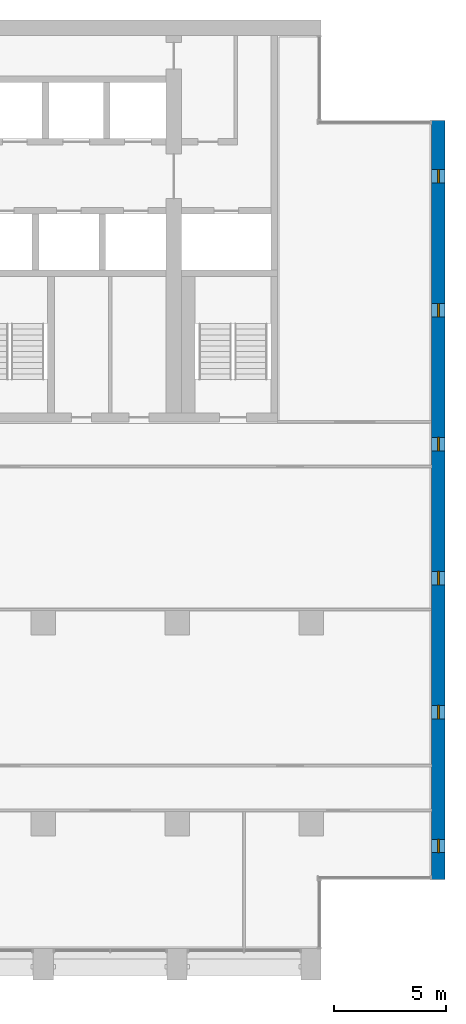
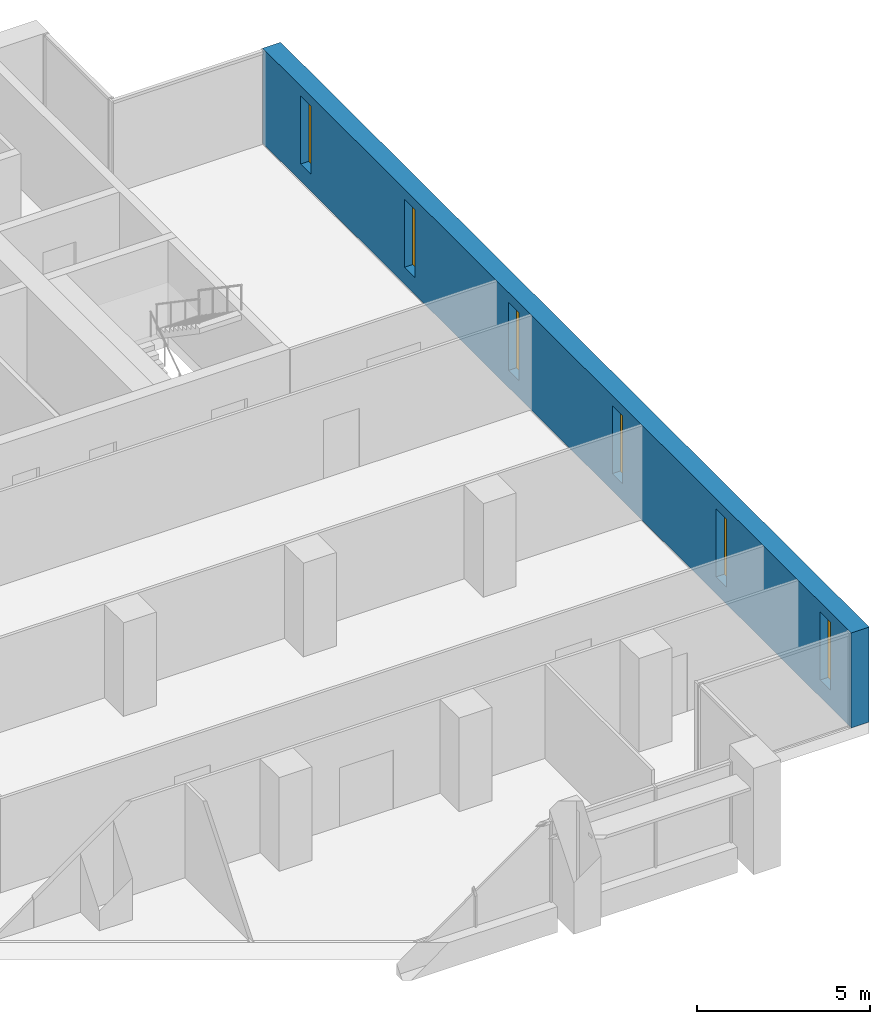
# One storey, part 12 of 17: 6 windows, 1 wall, 6 openings.
"""IFC4 building model written with IfcOpenShell, lengths in metres."""

import ifcopenshell
import ifcopenshell.guid

model = None  # the IFC model being written
_history = None  # IfcOwnerHistory: only IFC2X3 demands one
_inside = {}  # id of a spatial element -> (the spatial element, [elements in it])
_under = {}  # id of a project, library or spatial element -> (it, [spatial elements below it])
_declared = {}  # id of a project -> (the project, [libraries it declares])
_typed = {}  # id of a type object -> (the type object, [elements of that type])
_made_of = {}  # id of a material, layer set ... -> (it, [elements and type objects made of it])


def new_model(schema):
    """Start an empty IFC model of exactly this schema.

    Asked for "IFC4X3", IfcOpenShell would pick the latest addendum, in which some entities
    have other attributes; the version numbers below select the first issue.
    IFC2X3 requires an IfcOwnerHistory on every rooted entity: one is made here for all.
    """
    global model, _history
    if schema == "IFC4X3":
        model = ifcopenshell.file(schema_version=(4, 3, 0, 0))
    else:
        model = ifcopenshell.file(schema=schema)
    _inside.clear()
    _under.clear()
    _declared.clear()
    _typed.clear()
    _made_of.clear()
    _history = None
    if model.schema == "IFC2X3":
        org = make("IfcOrganization", Name="unknown")
        user = make(
            "IfcPersonAndOrganization",
            ThePerson=make("IfcPerson", FamilyName="unknown"),
            TheOrganization=org,
        )
        app = make(
            "IfcApplication",
            ApplicationDeveloper=org,
            Version="unknown",
            ApplicationFullName="unknown",
            ApplicationIdentifier="unknown",
        )
        _history = make(
            "IfcOwnerHistory",
            OwningUser=user,
            OwningApplication=app,
            ChangeAction="ADDED",
            CreationDate=0,
        )
    return model


def make(cls, **values):
    """One entity of the class cls with the attributes given. An attribute that is None is left unset."""
    return model.create_entity(
        cls, **{name: value for name, value in values.items() if value is not None}
    )


def rooted(cls, **values):
    """An entity with a GlobalId (a new one), such as an element, a storey or a relation."""
    return make(cls, GlobalId=ifcopenshell.guid.new(), OwnerHistory=_history, **values)


def si_unit(unit_type, name, prefix=None):
    """IfcSIUnit, for example si_unit("LENGTHUNIT", "METRE", prefix="MILLI")."""
    return make("IfcSIUnit", UnitType=unit_type, Prefix=prefix, Name=name)


def assignment(units):
    """IfcUnitAssignment: the units of a project."""
    return None if units is None else make("IfcUnitAssignment", Units=units)


def point(xyz):
    """IfcCartesianPoint."""
    return None if xyz is None else make("IfcCartesianPoint", Coordinates=xyz)


def direction(xyz):
    """IfcDirection."""
    return None if xyz is None else make("IfcDirection", DirectionRatios=xyz)


def frame(location, z_axis=None, x_axis=None):
    """IfcAxis2Placement3D, a coordinate frame: its origin and axes. An axis left out is left unset."""
    return make(
        "IfcAxis2Placement3D",
        Location=point(location),
        Axis=direction(z_axis),
        RefDirection=direction(x_axis),
    )


def frame_2d(location, x_axis=None):
    """IfcAxis2Placement2D, a coordinate frame in the plane: its origin and x axis."""
    return make(
        "IfcAxis2Placement2D", Location=point(location), RefDirection=direction(x_axis)
    )


def origin():
    """The frame at (0, 0, 0) with its axes left unset."""
    return frame((0.0, 0.0, 0.0))


def place(relative_to, where):
    """IfcLocalPlacement: puts the frame where relative to a parent placement (None: the world)."""
    return make(
        "IfcLocalPlacement", PlacementRelTo=relative_to, RelativePlacement=where
    )


def context(
    kind, dimensions, precision=None, world=None, true_north=None, identifier=None
):
    """IfcGeometricRepresentationContext, for example the 3D "Model" context."""
    return make(
        "IfcGeometricRepresentationContext",
        ContextIdentifier=identifier,
        ContextType=kind,
        CoordinateSpaceDimension=dimensions,
        Precision=precision,
        WorldCoordinateSystem=world,
        TrueNorth=true_north,
    )


def subcontext(parent, identifier, kind, view, scale=None):
    """IfcGeometricRepresentationSubContext, for example "Body" below "Model"."""
    return make(
        "IfcGeometricRepresentationSubContext",
        ContextIdentifier=identifier,
        ContextType=kind,
        ParentContext=parent,
        TargetScale=scale,
        TargetView=view,
    )


def project(units=None, contexts=None):
    """IfcProject with its units and contexts."""
    return rooted(
        "IfcProject",
        Name="project",
        RepresentationContexts=contexts,
        UnitsInContext=assignment(units),
    )


def spatial(cls, under=None, at=None, **own):
    """A site, building, storey or space (cls), placed at a placement, below another one or the project."""
    s = rooted(cls, ObjectPlacement=at, **own)
    if under is not None:
        _under.setdefault(under.id(), (under, []))[1].append(s)
    return s


def profile(cls, at=None, kind="AREA", **sizes):
    """A parametric profile (cls). Its sizes go by their IFC names, for example OverallWidth=200.0."""
    return make(cls, ProfileType=kind, Position=at, **sizes)


def rectangle(**sizes):
    """IfcRectangleProfileDef."""
    return profile("IfcRectangleProfileDef", **sizes)


def extrude(swept, where, along, depth):
    """IfcExtrudedAreaSolid: the profile swept, set in the frame where, extruded along a direction by depth."""
    return make(
        "IfcExtrudedAreaSolid",
        SweptArea=swept,
        Position=where,
        ExtrudedDirection=direction(along),
        Depth=depth,
    )


def shape(context_of_items, identifier, shape_type, items):
    """IfcShapeRepresentation: the items that make up one representation, for example the "Body"."""
    return make(
        "IfcShapeRepresentation",
        ContextOfItems=context_of_items,
        RepresentationIdentifier=identifier,
        RepresentationType=shape_type,
        Items=items,
    )


def material(Name=None, Category=None):
    """IfcMaterial."""
    return make("IfcMaterial", Name=Name, Category=Category)


def layer(
    of_material, thickness, ventilated=None, Name=None, Category=None, Priority=None
):
    """IfcMaterialLayer: one layer of a wall or slab, of a material (None: an air gap)."""
    return make(
        "IfcMaterialLayer",
        Material=of_material,
        LayerThickness=thickness,
        IsVentilated=ventilated,
        Name=Name,
        Category=Category,
        Priority=Priority,
    )


def layer_set(layers, Name=None):
    """IfcMaterialLayerSet."""
    return make("IfcMaterialLayerSet", MaterialLayers=layers, LayerSetName=Name)


def made_of(thing, what):
    """Note that an element or type object is made of a material, layer set ...; save() writes the relation."""
    if what is not None:
        _made_of.setdefault(what.id(), (what, []))[1].append(thing)
    return thing


def type_object(cls, material=None, **own):
    """A type object (cls), such as IfcWallType, which elements share."""
    return made_of(rooted(cls, **own), material)


def element(
    cls,
    number,
    at=None,
    inside=None,
    cuts=None,
    type_object=None,
    material=None,
    context=None,
    identifier="Body",
    shape_type=None,
    held_by="IfcProductDefinitionShape",
    body=None,
    shapes=None,
    **own,
):
    """One element of the class cls, such as IfcWall. Its Tag is "e" and its number.

    at: its placement. inside: the storey or other place that contains it. cuts: it is an
    opening in that element (IfcRelVoidsElement). A single representation is given by context,
    identifier, shape_type and body (its items); several are given by shapes. held_by: the class
    of the entity that holds the representations. save() writes the other relations.
    """
    e = rooted(cls, Tag="e%d" % number, ObjectPlacement=at, **own)
    if body is not None:
        shapes = [shape(context, identifier, shape_type, body)]
    if shapes is not None:
        e.Representation = make(held_by, Representations=shapes)
    if inside is not None:
        _inside.setdefault(inside.id(), (inside, []))[1].append(e)
    if cuts is not None:
        rooted(
            "IfcRelVoidsElement", RelatingBuildingElement=cuts, RelatedOpeningElement=e
        )
    if type_object is not None:
        _typed.setdefault(type_object.id(), (type_object, []))[1].append(e)
    return made_of(e, material)


def fill(opening, filler):
    """IfcRelFillsElement: the door or window that sits in an opening."""
    return rooted(
        "IfcRelFillsElement",
        RelatingOpeningElement=opening,
        RelatedBuildingElement=filler,
    )


def aggregate(whole, parts):
    """IfcRelAggregates: a whole, such as a stair, and the parts it consists of."""
    return rooted("IfcRelAggregates", RelatingObject=whole, RelatedObjects=parts)


def save(model, path):
    """Write the relations noted so far, then the file.

    IfcRelAggregates (storeys below a building ...), IfcRelContainedInSpatialStructure (elements
    in a storey), IfcRelDefinesByType, IfcRelAssociatesMaterial and IfcRelDeclares: one each for
    every whole, place, type object, material and project.
    """
    for whole, parts in _under.values():
        aggregate(whole, parts)
    for where, things in _inside.values():
        rooted(
            "IfcRelContainedInSpatialStructure",
            RelatedElements=things,
            RelatingStructure=where,
        )
    for kind, things in _typed.values():
        rooted("IfcRelDefinesByType", RelatedObjects=things, RelatingType=kind)
    for what, things in _made_of.values():
        rooted("IfcRelAssociatesMaterial", RelatedObjects=things, RelatingMaterial=what)
    for by, libraries in _declared.values():
        rooted("IfcRelDeclares", RelatingContext=by, RelatedDefinitions=libraries)
    model.write(path)


model = new_model("IFC4")

# Units and contexts
model_context = context("Model", 3, precision=1e-05, world=origin(), true_north=direction((0.0, 1.0)))
body_context = subcontext(model_context, "Body", "Model", "MODEL_VIEW")
ifc_project = project(units=[si_unit("LENGTHUNIT", "METRE"), si_unit("AREAUNIT", "SQUARE_METRE"), si_unit("VOLUMEUNIT", "CUBIC_METRE"), si_unit("PLANEANGLEUNIT", "RADIAN"), si_unit("MASSUNIT", "GRAM", prefix="KILO")], contexts=[model_context])

# Site, building, storey
site_placement = place(None, origin())
site = spatial("IfcSite", under=ifc_project, at=site_placement, CompositionType="ELEMENT")
building_placement = place(site_placement, origin())
building = spatial("IfcBuilding", under=site, at=building_placement, Name="Calvaro Tower", CompositionType="ELEMENT")
storey_placement = place(building_placement, frame((0.0, 0.0, 196.75)))
storey = spatial("IfcBuildingStorey", under=building, at=storey_placement, Name="L49", CompositionType="ELEMENT", Elevation=196.75)

# Wall, openings, windows
ifc_material_1 = material(Name="Concrete C50/60", Category="concrete")
ifc_layer = layer(ifc_material_1, 0.60009765625)
ifc_layer_set = layer_set([ifc_layer], Name="Concrete C50/60")
wall_type = type_object("IfcWallType", Name="End wall 600 C50/60", PredefinedType="SHEAR", material=ifc_layer_set)
wall_placement = place(storey_placement, frame((71.699951171875, 7.5, 0.0), z_axis=(0.0, 0.0, 1.0), x_axis=(0.0, 1.0, 0.0)))
wall = element("IfcWall", 1, at=wall_placement, inside=storey, type_object=wall_type, Name="End shear wall", PredefinedType="SHEAR", context=body_context, shape_type="SweptSolid", body=[
    extrude(rectangle(XDim=34.0, YDim=0.60009765625, at=frame_2d((17.0, 0.0))), origin(), (0.0, 0.0, 1.0), 3.35009765625),
])
opening_1_placement = place(wall_placement, frame((1.199951171875, 0.0, 0.60009765625)))
opening_1 = element("IfcOpeningElement", 2, at=opening_1_placement, cuts=wall, Name="Opening WE01", PredefinedType="OPENING", context=body_context, shape_type="SweptSolid", body=[
    extrude(rectangle(XDim=0.60009765625, YDim=2.39990234375, at=frame_2d((0.300048828125, 1.199951171875))), frame((0.0, 0.31005859375, 0.0), z_axis=(0.0, -1.0, 0.0), x_axis=(1.0, 0.0, 0.0)), (0.0, 0.0, 1.0), 0.6201171875),
])
opening_2_placement = place(wall_placement, frame((7.199951171875, 0.0, 0.60009765625)))
opening_2 = element("IfcOpeningElement", 3, at=opening_2_placement, cuts=wall, Name="Opening WE02", PredefinedType="OPENING", context=body_context, shape_type="SweptSolid", body=[
    extrude(rectangle(XDim=0.60009765625, YDim=2.39990234375, at=frame_2d((0.300048828125, 1.199951171875))), frame((0.0, 0.31005859375, 0.0), z_axis=(0.0, -1.0, 0.0), x_axis=(1.0, 0.0, 0.0)), (0.0, 0.0, 1.0), 0.6201171875),
])
opening_3_placement = place(wall_placement, frame((13.199951171875, 0.0, 0.60009765625)))
opening_3 = element("IfcOpeningElement", 4, at=opening_3_placement, cuts=wall, Name="Opening WE03", PredefinedType="OPENING", context=body_context, shape_type="SweptSolid", body=[
    extrude(rectangle(XDim=0.60009765625, YDim=2.39990234375, at=frame_2d((0.300048828125, 1.199951171875))), frame((0.0, 0.31005859375, 0.0), z_axis=(0.0, -1.0, 0.0), x_axis=(1.0, 0.0, 0.0)), (0.0, 0.0, 1.0), 0.6201171875),
])
opening_4_placement = place(wall_placement, frame((19.199951171875, 0.0, 0.60009765625)))
opening_4 = element("IfcOpeningElement", 5, at=opening_4_placement, cuts=wall, Name="Opening WE04", PredefinedType="OPENING", context=body_context, shape_type="SweptSolid", body=[
    extrude(rectangle(XDim=0.60009765625, YDim=2.39990234375, at=frame_2d((0.300048828125, 1.199951171875))), frame((0.0, 0.31005859375, 0.0), z_axis=(0.0, -1.0, 0.0), x_axis=(1.0, 0.0, 0.0)), (0.0, 0.0, 1.0), 0.6201171875),
])
opening_5_placement = place(wall_placement, frame((25.199951171875, 0.0, 0.60009765625)))
opening_5 = element("IfcOpeningElement", 6, at=opening_5_placement, cuts=wall, Name="Opening WE05", PredefinedType="OPENING", context=body_context, shape_type="SweptSolid", body=[
    extrude(rectangle(XDim=0.60009765625, YDim=2.39990234375, at=frame_2d((0.300048828125, 1.199951171875))), frame((0.0, 0.31005859375, 0.0), z_axis=(0.0, -1.0, 0.0), x_axis=(1.0, 0.0, 0.0)), (0.0, 0.0, 1.0), 0.6201171875),
])
opening_6_placement = place(wall_placement, frame((31.199951171875, 0.0, 0.60009765625)))
opening_6 = element("IfcOpeningElement", 7, at=opening_6_placement, cuts=wall, Name="Opening WE06", PredefinedType="OPENING", context=body_context, shape_type="SweptSolid", body=[
    extrude(rectangle(XDim=0.60009765625, YDim=2.39990234375, at=frame_2d((0.300048828125, 1.199951171875))), frame((0.0, 0.31005859375, 0.0), z_axis=(0.0, -1.0, 0.0), x_axis=(1.0, 0.0, 0.0)), (0.0, 0.0, 1.0), 0.6201171875),
])
ifc_material_2 = material(Name="Glass", Category="glass")
window_type = type_object("IfcWindowType", Name="Slit window 600 x 2400", PartitioningType="SINGLE_PANEL", PredefinedType="WINDOW", material=ifc_material_2)
window_1_placement = place(opening_1_placement, origin())
window_1 = element("IfcWindow", 8, at=window_1_placement, inside=storey, type_object=window_type, Name="Window WE01", OverallHeight=2.39990234375, OverallWidth=0.60009765625, PartitioningType="SINGLE_PANEL", PredefinedType="WINDOW", context=body_context, shape_type="SweptSolid", body=[
    extrude(rectangle(XDim=0.60009765625, YDim=2.39990234375, at=frame_2d((0.300048828125, 1.199951171875))), frame((0.0, 0.030029296875, 0.0), z_axis=(0.0, -1.0, 0.0), x_axis=(1.0, 0.0, 0.0)), (0.0, 0.0, 1.0), 0.06005859375),
])
fill(opening_1, window_1)
window_2_placement = place(opening_2_placement, origin())
window_2 = element("IfcWindow", 9, at=window_2_placement, inside=storey, type_object=window_type, Name="Window WE02", OverallHeight=2.39990234375, OverallWidth=0.60009765625, PartitioningType="SINGLE_PANEL", PredefinedType="WINDOW", context=body_context, shape_type="SweptSolid", body=[
    extrude(rectangle(XDim=0.60009765625, YDim=2.39990234375, at=frame_2d((0.300048828125, 1.199951171875))), frame((0.0, 0.030029296875, 0.0), z_axis=(0.0, -1.0, 0.0), x_axis=(1.0, 0.0, 0.0)), (0.0, 0.0, 1.0), 0.06005859375),
])
fill(opening_2, window_2)
window_3_placement = place(opening_3_placement, origin())
window_3 = element("IfcWindow", 10, at=window_3_placement, inside=storey, type_object=window_type, Name="Window WE03", OverallHeight=2.39990234375, OverallWidth=0.60009765625, PartitioningType="SINGLE_PANEL", PredefinedType="WINDOW", context=body_context, shape_type="SweptSolid", body=[
    extrude(rectangle(XDim=0.60009765625, YDim=2.39990234375, at=frame_2d((0.300048828125, 1.199951171875))), frame((0.0, 0.030029296875, 0.0), z_axis=(0.0, -1.0, 0.0), x_axis=(1.0, 0.0, 0.0)), (0.0, 0.0, 1.0), 0.06005859375),
])
fill(opening_3, window_3)
window_4_placement = place(opening_4_placement, origin())
window_4 = element("IfcWindow", 11, at=window_4_placement, inside=storey, type_object=window_type, Name="Window WE04", OverallHeight=2.39990234375, OverallWidth=0.60009765625, PartitioningType="SINGLE_PANEL", PredefinedType="WINDOW", context=body_context, shape_type="SweptSolid", body=[
    extrude(rectangle(XDim=0.60009765625, YDim=2.39990234375, at=frame_2d((0.300048828125, 1.199951171875))), frame((0.0, 0.030029296875, 0.0), z_axis=(0.0, -1.0, 0.0), x_axis=(1.0, 0.0, 0.0)), (0.0, 0.0, 1.0), 0.06005859375),
])
fill(opening_4, window_4)
window_5_placement = place(opening_5_placement, origin())
window_5 = element("IfcWindow", 12, at=window_5_placement, inside=storey, type_object=window_type, Name="Window WE05", OverallHeight=2.39990234375, OverallWidth=0.60009765625, PartitioningType="SINGLE_PANEL", PredefinedType="WINDOW", context=body_context, shape_type="SweptSolid", body=[
    extrude(rectangle(XDim=0.60009765625, YDim=2.39990234375, at=frame_2d((0.300048828125, 1.199951171875))), frame((0.0, 0.030029296875, 0.0), z_axis=(0.0, -1.0, 0.0), x_axis=(1.0, 0.0, 0.0)), (0.0, 0.0, 1.0), 0.06005859375),
])
fill(opening_5, window_5)
window_6_placement = place(opening_6_placement, origin())
window_6 = element("IfcWindow", 13, at=window_6_placement, inside=storey, type_object=window_type, Name="Window WE06", OverallHeight=2.39990234375, OverallWidth=0.60009765625, PartitioningType="SINGLE_PANEL", PredefinedType="WINDOW", context=body_context, shape_type="SweptSolid", body=[
    extrude(rectangle(XDim=0.60009765625, YDim=2.39990234375, at=frame_2d((0.300048828125, 1.199951171875))), frame((0.0, 0.030029296875, 0.0), z_axis=(0.0, -1.0, 0.0), x_axis=(1.0, 0.0, 0.0)), (0.0, 0.0, 1.0), 0.06005859375),
])
fill(opening_6, window_6)

save(model, "model.ifc")
